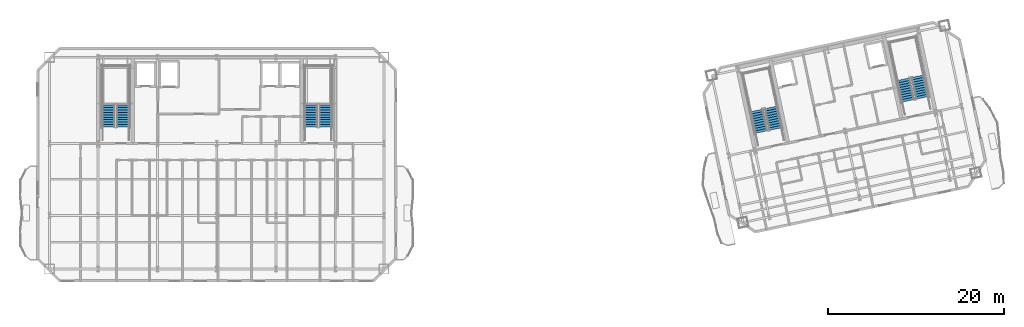
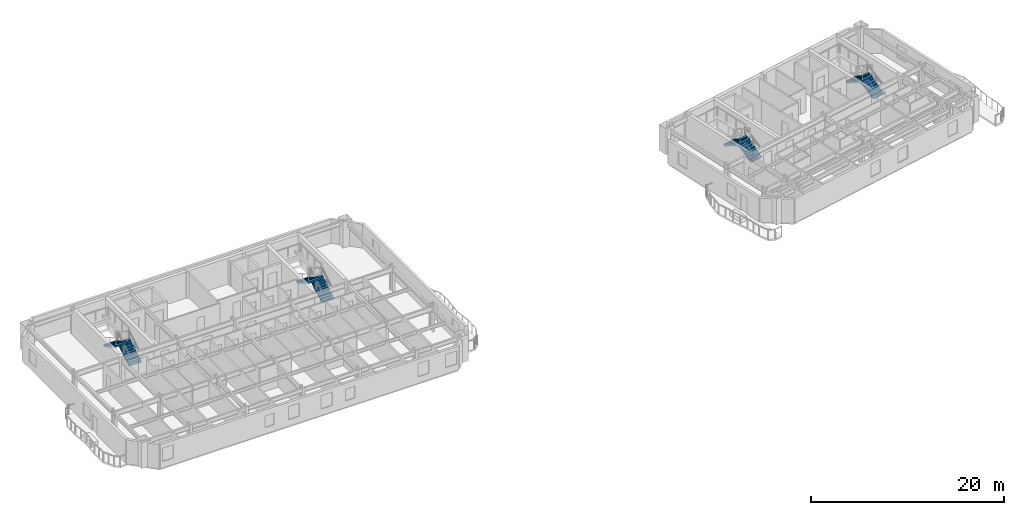
# One storey, part 10 of 14: 8 stair flights, 4 elements without a shape of their own.
"""IFC4 building model written with IfcOpenShell, lengths in metres."""

from ifc_helpers import new_model, si_unit, direction, frame, origin, place, context, subcontext, project, spatial, polyline, outline, extrude, material, type_object, element, aggregate, save


model = new_model("IFC4")

# Units and contexts
model_context = context("Model", 3, precision=1e-05, world=origin(), true_north=direction((0.0, 1.0)))
body_context = subcontext(model_context, "Body", "Model", "MODEL_VIEW")
ifc_project = project(units=[si_unit("LENGTHUNIT", "METRE"), si_unit("AREAUNIT", "SQUARE_METRE"), si_unit("VOLUMEUNIT", "CUBIC_METRE"), si_unit("PLANEANGLEUNIT", "RADIAN"), si_unit("MASSUNIT", "GRAM", prefix="KILO")], contexts=[model_context])

# Site, building, storey
site_placement = place(None, origin())
site = spatial("IfcSite", under=ifc_project, at=site_placement, CompositionType="ELEMENT")
building_placement = place(site_placement, origin())
building = spatial("IfcBuilding", under=site, at=building_placement, Name="Haevon Station Towers", CompositionType="ELEMENT")
storey_placement = place(building_placement, frame((0.0, 0.0, 212.10009765625)))
storey = spatial("IfcBuildingStorey", under=building, at=storey_placement, Name="L58", CompositionType="ELEMENT", Elevation=212.10009765625)

# Stair, stair flights
ifc_material = material(Name="Concrete C40/50", Category="concrete")
stair_type = type_object("IfcStairType", Name="STR-DL1450", PredefinedType="USERDEFINED", material=ifc_material)
stair_1_placement = place(storey_placement, origin())
stair_1 = element("IfcStair", 1, at=stair_1_placement, inside=storey, type_object=stair_type, Name="L58 Escape Stair ST1", ObjectType="TWO_RETURN_STAIR", PredefinedType="USERDEFINED")
stair_flight_type = type_object("IfcStairFlightType", Name="STF-ST1450", PredefinedType="STRAIGHT", material=ifc_material)
stair_flight_1_placement = place(storey_placement, frame((26.85498046875, 40.050048828125, 0.0), z_axis=(0.0, 0.0, 1.0), x_axis=(0.0, 1.0, 0.0)))
stair_flight_1 = element("IfcStairFlight", 2, at=stair_flight_1_placement, type_object=stair_flight_type, Name="L58 ST1 Flight 1", NumberOfRisers=10, NumberOfTreads=9, PredefinedType="STRAIGHT", RiserHeight=0.165, TreadLength=0.28, context=body_context, shape_type="SweptSolid", body=[
    extrude(outline(polyline([(0.0, 0.0), (0.0, 0.1650390625), (0.280029296875, 0.1650390625), (0.280029296875, 0.330078125), (0.56005859375, 0.330078125), (0.56005859375, 0.4951171875), (0.840087890625, 0.4951171875), (0.840087890625, 0.659912109375), (1.1201171875, 0.659912109375), (1.1201171875, 0.824951171875), (1.39990234375, 0.824951171875), (1.39990234375, 0.989990234375), (1.679931640625, 0.989990234375), (1.679931640625, 1.155029296875), (1.9599609375, 1.155029296875), (1.9599609375, 1.320068359375), (2.239990234375, 1.320068359375), (2.239990234375, 1.485107421875), (2.52001953125, 1.485107421875), (2.52001953125, 1.64990234375), (2.52001953125, 1.29931640625), (0.31494140625, 0.0), (0.0, 0.0)])), frame((0.0, 0.72509765625, 0.0), z_axis=(0.0, -1.0, 0.0), x_axis=(1.0, 0.0, 0.0)), (0.0, 0.0, 1.0), 1.449951171875),
])
stair_flight_2_placement = place(storey_placement, frame((25.205078125, 42.570068359375, 1.64990234375), z_axis=(0.0, 0.0, 1.0), x_axis=(0.0, -1.0, 0.0)))
stair_flight_2 = element("IfcStairFlight", 3, at=stair_flight_2_placement, type_object=stair_flight_type, Name="L58 ST1 Flight 2", NumberOfRisers=10, NumberOfTreads=9, PredefinedType="STRAIGHT", RiserHeight=0.165, TreadLength=0.28, context=body_context, shape_type="SweptSolid", body=[
    extrude(outline(polyline([(0.0, 0.0), (0.0, 0.1650390625), (0.280029296875, 0.1650390625), (0.280029296875, 0.330078125), (0.56005859375, 0.330078125), (0.56005859375, 0.4951171875), (0.840087890625, 0.4951171875), (0.840087890625, 0.659912109375), (1.1201171875, 0.659912109375), (1.1201171875, 0.824951171875), (1.39990234375, 0.824951171875), (1.39990234375, 0.989990234375), (1.679931640625, 0.989990234375), (1.679931640625, 1.155029296875), (1.9599609375, 1.155029296875), (1.9599609375, 1.320068359375), (2.239990234375, 1.320068359375), (2.239990234375, 1.485107421875), (2.52001953125, 1.485107421875), (2.52001953125, 1.64990234375), (2.52001953125, 1.29931640625), (0.31494140625, 0.0), (0.0, 0.0)])), frame((0.0, 0.72509765625, 0.0), z_axis=(0.0, -1.0, 0.0), x_axis=(1.0, 0.0, 0.0)), (0.0, 0.0, 1.0), 1.449951171875),
])
aggregate(stair_1, [stair_flight_1, stair_flight_2])

stair_2_placement = place(storey_placement, origin())
stair_2 = element("IfcStair", 4, at=stair_2_placement, inside=storey, type_object=stair_type, Name="L58 Escape Stair ST2", ObjectType="TWO_RETURN_STAIR", PredefinedType="USERDEFINED")
stair_flight_3_placement = place(storey_placement, frame((49.89501953125, 40.050048828125, 0.0), z_axis=(0.0, 0.0, 1.0), x_axis=(0.0, 1.0, 0.0)))
stair_flight_3 = element("IfcStairFlight", 5, at=stair_flight_3_placement, type_object=stair_flight_type, Name="L58 ST2 Flight 1", NumberOfRisers=10, NumberOfTreads=9, PredefinedType="STRAIGHT", RiserHeight=0.165, TreadLength=0.28, context=body_context, shape_type="SweptSolid", body=[
    extrude(outline(polyline([(0.0, 0.0), (0.0, 0.1650390625), (0.280029296875, 0.1650390625), (0.280029296875, 0.330078125), (0.56005859375, 0.330078125), (0.56005859375, 0.4951171875), (0.840087890625, 0.4951171875), (0.840087890625, 0.659912109375), (1.1201171875, 0.659912109375), (1.1201171875, 0.824951171875), (1.39990234375, 0.824951171875), (1.39990234375, 0.989990234375), (1.679931640625, 0.989990234375), (1.679931640625, 1.155029296875), (1.9599609375, 1.155029296875), (1.9599609375, 1.320068359375), (2.239990234375, 1.320068359375), (2.239990234375, 1.485107421875), (2.52001953125, 1.485107421875), (2.52001953125, 1.64990234375), (2.52001953125, 1.29931640625), (0.31494140625, 0.0), (0.0, 0.0)])), frame((0.0, 0.72509765625, 0.0), z_axis=(0.0, -1.0, 0.0), x_axis=(1.0, 0.0, 0.0)), (0.0, 0.0, 1.0), 1.449951171875),
])
stair_flight_4_placement = place(storey_placement, frame((48.2451171875, 42.570068359375, 1.64990234375), z_axis=(0.0, 0.0, 1.0), x_axis=(0.0, -1.0, 0.0)))
stair_flight_4 = element("IfcStairFlight", 6, at=stair_flight_4_placement, type_object=stair_flight_type, Name="L58 ST2 Flight 2", NumberOfRisers=10, NumberOfTreads=9, PredefinedType="STRAIGHT", RiserHeight=0.165, TreadLength=0.28, context=body_context, shape_type="SweptSolid", body=[
    extrude(outline(polyline([(0.0, 0.0), (0.0, 0.1650390625), (0.280029296875, 0.1650390625), (0.280029296875, 0.330078125), (0.56005859375, 0.330078125), (0.56005859375, 0.4951171875), (0.840087890625, 0.4951171875), (0.840087890625, 0.659912109375), (1.1201171875, 0.659912109375), (1.1201171875, 0.824951171875), (1.39990234375, 0.824951171875), (1.39990234375, 0.989990234375), (1.679931640625, 0.989990234375), (1.679931640625, 1.155029296875), (1.9599609375, 1.155029296875), (1.9599609375, 1.320068359375), (2.239990234375, 1.320068359375), (2.239990234375, 1.485107421875), (2.52001953125, 1.485107421875), (2.52001953125, 1.64990234375), (2.52001953125, 1.29931640625), (0.31494140625, 0.0), (0.0, 0.0)])), frame((0.0, 0.72509765625, 0.0), z_axis=(0.0, -1.0, 0.0), x_axis=(1.0, 0.0, 0.0)), (0.0, 0.0, 1.0), 1.449951171875),
])
aggregate(stair_2, [stair_flight_3, stair_flight_4])

stair_3_placement = place(storey_placement, origin())
stair_3 = element("IfcStair", 7, at=stair_3_placement, inside=storey, type_object=stair_type, Name="L58 Escape Stair ST3", ObjectType="TWO_RETURN_STAIR", PredefinedType="USERDEFINED")
stair_flight_5_placement = place(storey_placement, frame((101.1015625, 39.8330078125, 0.0), z_axis=(0.0, 0.0, 1.0), x_axis=(-0.207911690818, 0.978147600734, 0.0)))
stair_flight_5 = element("IfcStairFlight", 8, at=stair_flight_5_placement, type_object=stair_flight_type, Name="L58 ST3 Flight 1", NumberOfRisers=10, NumberOfTreads=9, PredefinedType="STRAIGHT", RiserHeight=0.165, TreadLength=0.28, context=body_context, shape_type="SweptSolid", body=[
    extrude(outline(polyline([(0.0, 0.0), (0.0, 0.1650390625), (0.280029296875, 0.1650390625), (0.280029296875, 0.330078125), (0.56005859375, 0.330078125), (0.56005859375, 0.4951171875), (0.840087890625, 0.4951171875), (0.840087890625, 0.659912109375), (1.1201171875, 0.659912109375), (1.1201171875, 0.824951171875), (1.39990234375, 0.824951171875), (1.39990234375, 0.989990234375), (1.679931640625, 0.989990234375), (1.679931640625, 1.155029296875), (1.9599609375, 1.155029296875), (1.9599609375, 1.320068359375), (2.239990234375, 1.320068359375), (2.239990234375, 1.485107421875), (2.52001953125, 1.485107421875), (2.52001953125, 1.64990234375), (2.52001953125, 1.29931640625), (0.31494140625, 0.0), (0.0, 0.0)])), frame((0.0, 0.72509765625, 0.0), z_axis=(0.0, -1.0, 0.0), x_axis=(1.0, 0.0, 0.0)), (0.0, 0.0, 1.0), 1.449951171875),
])
stair_flight_6_placement = place(storey_placement, frame((98.9638671875, 41.955078125, 1.64990234375), z_axis=(0.0, 0.0, 1.0), x_axis=(0.207911690818, -0.978147600734, 0.0)))
stair_flight_6 = element("IfcStairFlight", 9, at=stair_flight_6_placement, type_object=stair_flight_type, Name="L58 ST3 Flight 2", NumberOfRisers=10, NumberOfTreads=9, PredefinedType="STRAIGHT", RiserHeight=0.165, TreadLength=0.28, context=body_context, shape_type="SweptSolid", body=[
    extrude(outline(polyline([(0.0, 0.0), (0.0, 0.1650390625), (0.280029296875, 0.1650390625), (0.280029296875, 0.330078125), (0.56005859375, 0.330078125), (0.56005859375, 0.4951171875), (0.840087890625, 0.4951171875), (0.840087890625, 0.659912109375), (1.1201171875, 0.659912109375), (1.1201171875, 0.824951171875), (1.39990234375, 0.824951171875), (1.39990234375, 0.989990234375), (1.679931640625, 0.989990234375), (1.679931640625, 1.155029296875), (1.9599609375, 1.155029296875), (1.9599609375, 1.320068359375), (2.239990234375, 1.320068359375), (2.239990234375, 1.485107421875), (2.52001953125, 1.485107421875), (2.52001953125, 1.64990234375), (2.52001953125, 1.29931640625), (0.31494140625, 0.0), (0.0, 0.0)])), frame((0.0, 0.72509765625, 0.0), z_axis=(0.0, -1.0, 0.0), x_axis=(1.0, 0.0, 0.0)), (0.0, 0.0, 1.0), 1.449951171875),
])
aggregate(stair_3, [stair_flight_5, stair_flight_6])

stair_4_placement = place(storey_placement, origin())
stair_4 = element("IfcStair", 10, at=stair_4_placement, inside=storey, type_object=stair_type, Name="L58 Escape Stair ST4", ObjectType="TWO_RETURN_STAIR", PredefinedType="USERDEFINED")
stair_flight_7_placement = place(storey_placement, frame((117.788818359375, 43.380126953125, 0.0), z_axis=(0.0, 0.0, 1.0), x_axis=(-0.207911690818, 0.978147600734, 0.0)))
stair_flight_7 = element("IfcStairFlight", 11, at=stair_flight_7_placement, type_object=stair_flight_type, Name="L58 ST4 Flight 1", NumberOfRisers=10, NumberOfTreads=9, PredefinedType="STRAIGHT", RiserHeight=0.165, TreadLength=0.28, context=body_context, shape_type="SweptSolid", body=[
    extrude(outline(polyline([(0.0, 0.0), (0.0, 0.1650390625), (0.280029296875, 0.1650390625), (0.280029296875, 0.330078125), (0.56005859375, 0.330078125), (0.56005859375, 0.4951171875), (0.840087890625, 0.4951171875), (0.840087890625, 0.659912109375), (1.1201171875, 0.659912109375), (1.1201171875, 0.824951171875), (1.39990234375, 0.824951171875), (1.39990234375, 0.989990234375), (1.679931640625, 0.989990234375), (1.679931640625, 1.155029296875), (1.9599609375, 1.155029296875), (1.9599609375, 1.320068359375), (2.239990234375, 1.320068359375), (2.239990234375, 1.485107421875), (2.52001953125, 1.485107421875), (2.52001953125, 1.64990234375), (2.52001953125, 1.29931640625), (0.31494140625, 0.0), (0.0, 0.0)])), frame((0.0, 0.72509765625, 0.0), z_axis=(0.0, -1.0, 0.0), x_axis=(1.0, 0.0, 0.0)), (0.0, 0.0, 1.0), 1.449951171875),
])
stair_flight_8_placement = place(storey_placement, frame((115.65087890625, 45.501953125, 1.64990234375), z_axis=(0.0, 0.0, 1.0), x_axis=(0.207911690818, -0.978147600734, 0.0)))
stair_flight_8 = element("IfcStairFlight", 12, at=stair_flight_8_placement, type_object=stair_flight_type, Name="L58 ST4 Flight 2", NumberOfRisers=10, NumberOfTreads=9, PredefinedType="STRAIGHT", RiserHeight=0.165, TreadLength=0.28, context=body_context, shape_type="SweptSolid", body=[
    extrude(outline(polyline([(0.0, 0.0), (0.0, 0.1650390625), (0.280029296875, 0.1650390625), (0.280029296875, 0.330078125), (0.56005859375, 0.330078125), (0.56005859375, 0.4951171875), (0.840087890625, 0.4951171875), (0.840087890625, 0.659912109375), (1.1201171875, 0.659912109375), (1.1201171875, 0.824951171875), (1.39990234375, 0.824951171875), (1.39990234375, 0.989990234375), (1.679931640625, 0.989990234375), (1.679931640625, 1.155029296875), (1.9599609375, 1.155029296875), (1.9599609375, 1.320068359375), (2.239990234375, 1.320068359375), (2.239990234375, 1.485107421875), (2.52001953125, 1.485107421875), (2.52001953125, 1.64990234375), (2.52001953125, 1.29931640625), (0.31494140625, 0.0), (0.0, 0.0)])), frame((0.0, 0.72509765625, 0.0), z_axis=(0.0, -1.0, 0.0), x_axis=(1.0, 0.0, 0.0)), (0.0, 0.0, 1.0), 1.449951171875),
])
aggregate(stair_4, [stair_flight_7, stair_flight_8])

save(model, "model.ifc")
